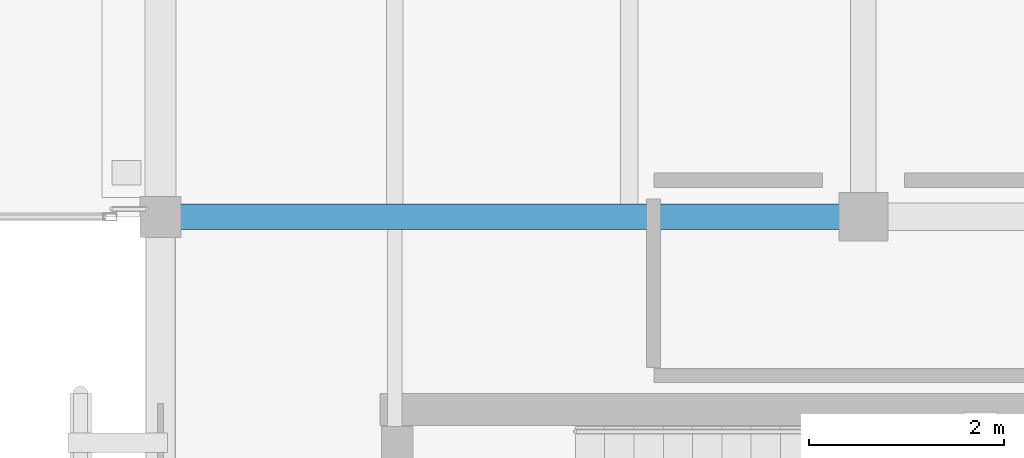
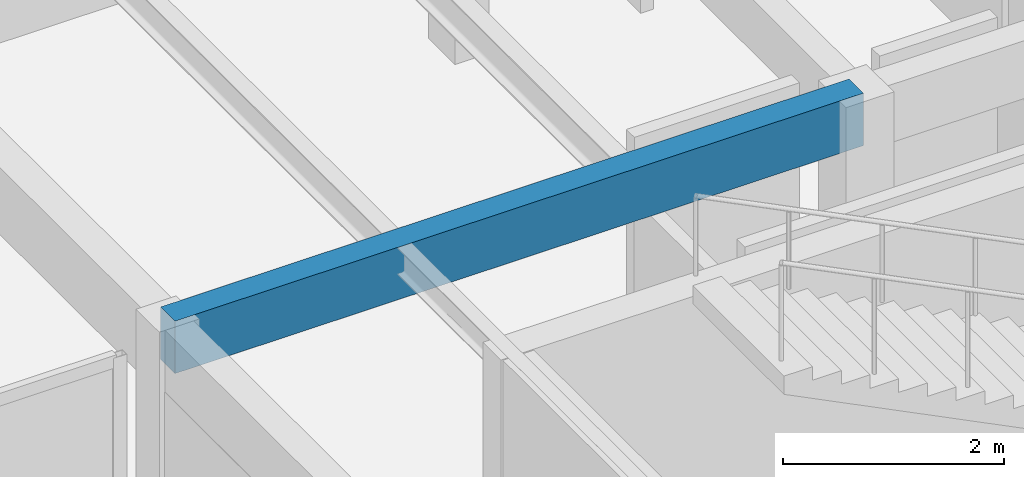
# One storey, part 98 of 217: 1 beam.
"""IFC4 building model written with IfcOpenShell, lengths in metres."""

import ifcopenshell
import ifcopenshell.guid

model = None  # the IFC model being written
_history = None  # IfcOwnerHistory: only IFC2X3 demands one
_inside = {}  # id of a spatial element -> (the spatial element, [elements in it])
_under = {}  # id of a project, library or spatial element -> (it, [spatial elements below it])
_declared = {}  # id of a project -> (the project, [libraries it declares])
_typed = {}  # id of a type object -> (the type object, [elements of that type])
_made_of = {}  # id of a material, layer set ... -> (it, [elements and type objects made of it])


def new_model(schema):
    """Start an empty IFC model of exactly this schema.

    Asked for "IFC4X3", IfcOpenShell would pick the latest addendum, in which some entities
    have other attributes; the version numbers below select the first issue.
    IFC2X3 requires an IfcOwnerHistory on every rooted entity: one is made here for all.
    """
    global model, _history
    if schema == "IFC4X3":
        model = ifcopenshell.file(schema_version=(4, 3, 0, 0))
    else:
        model = ifcopenshell.file(schema=schema)
    _inside.clear()
    _under.clear()
    _declared.clear()
    _typed.clear()
    _made_of.clear()
    _history = None
    if model.schema == "IFC2X3":
        org = make("IfcOrganization", Name="unknown")
        user = make(
            "IfcPersonAndOrganization",
            ThePerson=make("IfcPerson", FamilyName="unknown"),
            TheOrganization=org,
        )
        app = make(
            "IfcApplication",
            ApplicationDeveloper=org,
            Version="unknown",
            ApplicationFullName="unknown",
            ApplicationIdentifier="unknown",
        )
        _history = make(
            "IfcOwnerHistory",
            OwningUser=user,
            OwningApplication=app,
            ChangeAction="ADDED",
            CreationDate=0,
        )
    return model


def make(cls, **values):
    """One entity of the class cls with the attributes given. An attribute that is None is left unset."""
    return model.create_entity(
        cls, **{name: value for name, value in values.items() if value is not None}
    )


def rooted(cls, **values):
    """An entity with a GlobalId (a new one), such as an element, a storey or a relation."""
    return make(cls, GlobalId=ifcopenshell.guid.new(), OwnerHistory=_history, **values)


def si_unit(unit_type, name, prefix=None):
    """IfcSIUnit, for example si_unit("LENGTHUNIT", "METRE", prefix="MILLI")."""
    return make("IfcSIUnit", UnitType=unit_type, Prefix=prefix, Name=name)


def assignment(units):
    """IfcUnitAssignment: the units of a project."""
    return None if units is None else make("IfcUnitAssignment", Units=units)


def point(xyz):
    """IfcCartesianPoint."""
    return None if xyz is None else make("IfcCartesianPoint", Coordinates=xyz)


def direction(xyz):
    """IfcDirection."""
    return None if xyz is None else make("IfcDirection", DirectionRatios=xyz)


def frame(location, z_axis=None, x_axis=None):
    """IfcAxis2Placement3D, a coordinate frame: its origin and axes. An axis left out is left unset."""
    return make(
        "IfcAxis2Placement3D",
        Location=point(location),
        Axis=direction(z_axis),
        RefDirection=direction(x_axis),
    )


def frame_2d(location, x_axis=None):
    """IfcAxis2Placement2D, a coordinate frame in the plane: its origin and x axis."""
    return make(
        "IfcAxis2Placement2D", Location=point(location), RefDirection=direction(x_axis)
    )


def origin():
    """The frame at (0, 0, 0) with its axes left unset."""
    return frame((0.0, 0.0, 0.0))


def origin_2d():
    """The frame at (0, 0) in the plane with its x axis left unset."""
    return frame_2d((0.0, 0.0))


def place(relative_to, where):
    """IfcLocalPlacement: puts the frame where relative to a parent placement (None: the world)."""
    return make(
        "IfcLocalPlacement", PlacementRelTo=relative_to, RelativePlacement=where
    )


def context(
    kind, dimensions, precision=None, world=None, true_north=None, identifier=None
):
    """IfcGeometricRepresentationContext, for example the 3D "Model" context."""
    return make(
        "IfcGeometricRepresentationContext",
        ContextIdentifier=identifier,
        ContextType=kind,
        CoordinateSpaceDimension=dimensions,
        Precision=precision,
        WorldCoordinateSystem=world,
        TrueNorth=true_north,
    )


def subcontext(parent, identifier, kind, view, scale=None):
    """IfcGeometricRepresentationSubContext, for example "Body" below "Model"."""
    return make(
        "IfcGeometricRepresentationSubContext",
        ContextIdentifier=identifier,
        ContextType=kind,
        ParentContext=parent,
        TargetScale=scale,
        TargetView=view,
    )


def project(units=None, contexts=None):
    """IfcProject with its units and contexts."""
    return rooted(
        "IfcProject",
        Name="project",
        RepresentationContexts=contexts,
        UnitsInContext=assignment(units),
    )


def spatial(cls, under=None, at=None, **own):
    """A site, building, storey or space (cls), placed at a placement, below another one or the project."""
    s = rooted(cls, ObjectPlacement=at, **own)
    if under is not None:
        _under.setdefault(under.id(), (under, []))[1].append(s)
    return s


def profile(cls, at=None, kind="AREA", **sizes):
    """A parametric profile (cls). Its sizes go by their IFC names, for example OverallWidth=200.0."""
    return make(cls, ProfileType=kind, Position=at, **sizes)


def rectangle(**sizes):
    """IfcRectangleProfileDef."""
    return profile("IfcRectangleProfileDef", **sizes)


def extrude(swept, where, along, depth):
    """IfcExtrudedAreaSolid: the profile swept, set in the frame where, extruded along a direction by depth."""
    return make(
        "IfcExtrudedAreaSolid",
        SweptArea=swept,
        Position=where,
        ExtrudedDirection=direction(along),
        Depth=depth,
    )


def shape(context_of_items, identifier, shape_type, items):
    """IfcShapeRepresentation: the items that make up one representation, for example the "Body"."""
    return make(
        "IfcShapeRepresentation",
        ContextOfItems=context_of_items,
        RepresentationIdentifier=identifier,
        RepresentationType=shape_type,
        Items=items,
    )


def material(Name=None, Category=None):
    """IfcMaterial."""
    return make("IfcMaterial", Name=Name, Category=Category)


def material_profile(
    of_material, cross_section, Name=None, Category=None, Priority=None
):
    """IfcMaterialProfile: a cross section and its material."""
    return make(
        "IfcMaterialProfile",
        Name=Name,
        Material=of_material,
        Profile=cross_section,
        Priority=Priority,
        Category=Category,
    )


def profile_set(profiles, Name=None, composite=None):
    """IfcMaterialProfileSet."""
    return make(
        "IfcMaterialProfileSet",
        Name=Name,
        MaterialProfiles=profiles,
        CompositeProfile=composite,
    )


def made_of(thing, what):
    """Note that an element or type object is made of a material, layer set ...; save() writes the relation."""
    if what is not None:
        _made_of.setdefault(what.id(), (what, []))[1].append(thing)
    return thing


def type_object(cls, material=None, **own):
    """A type object (cls), such as IfcWallType, which elements share."""
    return made_of(rooted(cls, **own), material)


def element(
    cls,
    number,
    at=None,
    inside=None,
    cuts=None,
    type_object=None,
    material=None,
    context=None,
    identifier="Body",
    shape_type=None,
    held_by="IfcProductDefinitionShape",
    body=None,
    shapes=None,
    **own,
):
    """One element of the class cls, such as IfcWall. Its Tag is "e" and its number.

    at: its placement. inside: the storey or other place that contains it. cuts: it is an
    opening in that element (IfcRelVoidsElement). A single representation is given by context,
    identifier, shape_type and body (its items); several are given by shapes. held_by: the class
    of the entity that holds the representations. save() writes the other relations.
    """
    e = rooted(cls, Tag="e%d" % number, ObjectPlacement=at, **own)
    if body is not None:
        shapes = [shape(context, identifier, shape_type, body)]
    if shapes is not None:
        e.Representation = make(held_by, Representations=shapes)
    if inside is not None:
        _inside.setdefault(inside.id(), (inside, []))[1].append(e)
    if cuts is not None:
        rooted(
            "IfcRelVoidsElement", RelatingBuildingElement=cuts, RelatedOpeningElement=e
        )
    if type_object is not None:
        _typed.setdefault(type_object.id(), (type_object, []))[1].append(e)
    return made_of(e, material)


def aggregate(whole, parts):
    """IfcRelAggregates: a whole, such as a stair, and the parts it consists of."""
    return rooted("IfcRelAggregates", RelatingObject=whole, RelatedObjects=parts)


def save(model, path):
    """Write the relations noted so far, then the file.

    IfcRelAggregates (storeys below a building ...), IfcRelContainedInSpatialStructure (elements
    in a storey), IfcRelDefinesByType, IfcRelAssociatesMaterial and IfcRelDeclares: one each for
    every whole, place, type object, material and project.
    """
    for whole, parts in _under.values():
        aggregate(whole, parts)
    for where, things in _inside.values():
        rooted(
            "IfcRelContainedInSpatialStructure",
            RelatedElements=things,
            RelatingStructure=where,
        )
    for kind, things in _typed.values():
        rooted("IfcRelDefinesByType", RelatedObjects=things, RelatingType=kind)
    for what, things in _made_of.values():
        rooted("IfcRelAssociatesMaterial", RelatedObjects=things, RelatingMaterial=what)
    for by, libraries in _declared.values():
        rooted("IfcRelDeclares", RelatingContext=by, RelatedDefinitions=libraries)
    model.write(path)


model = new_model("IFC4")

# Units and contexts
model_context = context("Model", 3, precision=1e-05, world=origin(), true_north=direction((0.0, 1.0)))
body_context = subcontext(model_context, "Body", "Model", "MODEL_VIEW")
ifc_project = project(units=[si_unit("LENGTHUNIT", "METRE"), si_unit("AREAUNIT", "SQUARE_METRE"), si_unit("VOLUMEUNIT", "CUBIC_METRE"), si_unit("PLANEANGLEUNIT", "RADIAN"), si_unit("MASSUNIT", "GRAM", prefix="KILO")], contexts=[model_context])

# Site, building, storey
site_placement = place(None, origin())
site = spatial("IfcSite", under=ifc_project, at=site_placement, CompositionType="ELEMENT")
building_placement = place(site_placement, origin())
building = spatial("IfcBuilding", under=site, at=building_placement, Name="Mazaris Harbour Polytechnic", CompositionType="ELEMENT")
storey_placement = place(building_placement, frame((0.0, 0.0, 9.60009765625)))
storey = spatial("IfcBuildingStorey", under=building, at=storey_placement, Name="L02", CompositionType="ELEMENT", Elevation=9.60009765625)

# Beam
ifc_material = material(Name="Glulam GL32h", Category="wood")
ifc_material_profile = material_profile(ifc_material, rectangle(XDim=0.260009765625, YDim=0.580078125, at=origin_2d()), Name="RECT260x580")
ifc_profile_set = profile_set([ifc_material_profile], Name="Glulam GL32h")
beam_type = type_object("IfcBeamType", Name="Glulam Girder 260x580", PredefinedType="BEAM", material=ifc_profile_set)
beam_placement = place(storey_placement, frame((122.39990234375, 75.60009765625, 3.6298828125), z_axis=(1.0, 0.0, 0.0), x_axis=(0.0, 1.0, 0.0)))
element("IfcBeam", 1, at=beam_placement, inside=storey, type_object=beam_type, Name="V5 L02 Girder 3141", PredefinedType="BEAM", context=body_context, shape_type="SweptSolid", body=[
    extrude(rectangle(XDim=0.260009765625, YDim=0.580078125, at=origin_2d()), origin(), (0.0, 0.0, 1.0), 7.2001953125),
])

save(model, "model.ifc")
